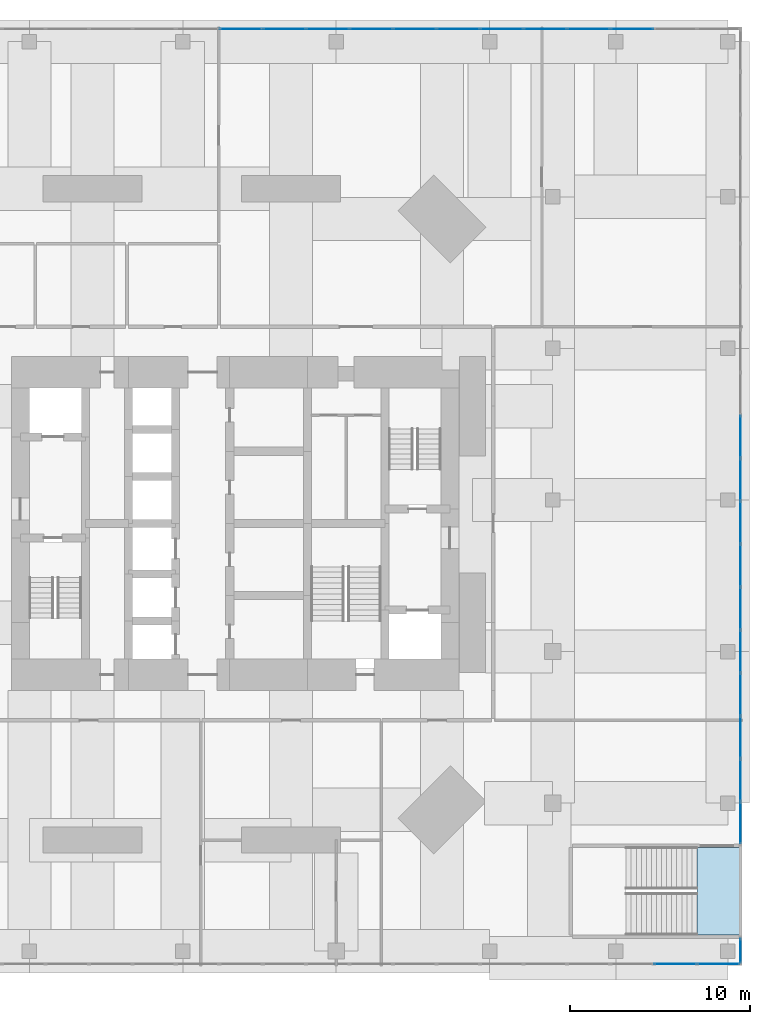
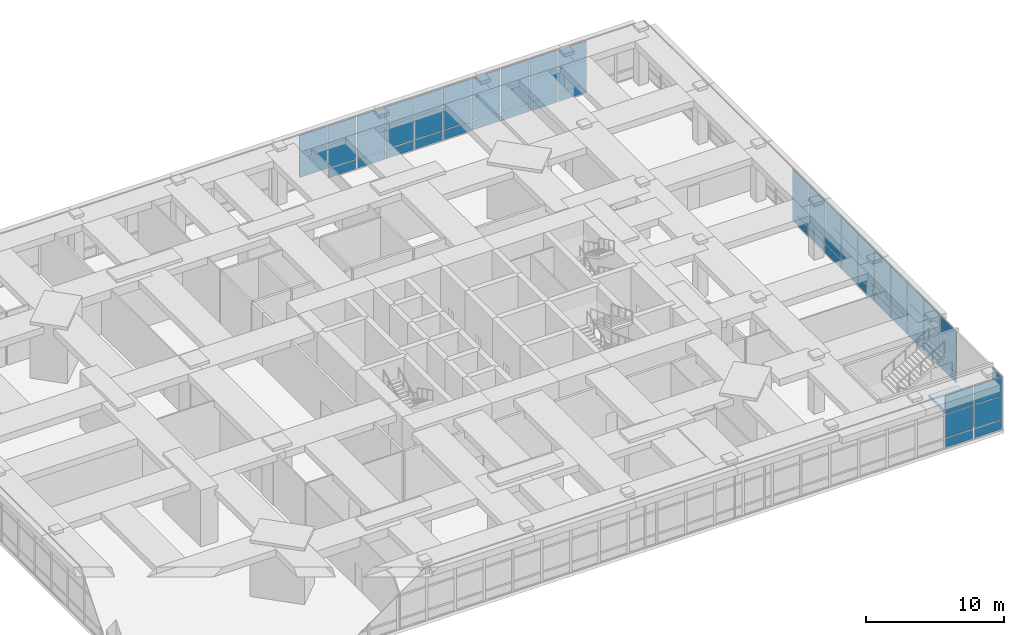
# One storey, part 16 of 22: 68 plates, 1 slab, 5 elements without a shape of their own.
"""IFC4 building model written with IfcOpenShell, lengths in metres."""

import ifcopenshell
import ifcopenshell.guid

model = None  # the IFC model being written
_history = None  # IfcOwnerHistory: only IFC2X3 demands one
_inside = {}  # id of a spatial element -> (the spatial element, [elements in it])
_under = {}  # id of a project, library or spatial element -> (it, [spatial elements below it])
_declared = {}  # id of a project -> (the project, [libraries it declares])
_typed = {}  # id of a type object -> (the type object, [elements of that type])
_made_of = {}  # id of a material, layer set ... -> (it, [elements and type objects made of it])


def new_model(schema):
    """Start an empty IFC model of exactly this schema.

    Asked for "IFC4X3", IfcOpenShell would pick the latest addendum, in which some entities
    have other attributes; the version numbers below select the first issue.
    IFC2X3 requires an IfcOwnerHistory on every rooted entity: one is made here for all.
    """
    global model, _history
    if schema == "IFC4X3":
        model = ifcopenshell.file(schema_version=(4, 3, 0, 0))
    else:
        model = ifcopenshell.file(schema=schema)
    _inside.clear()
    _under.clear()
    _declared.clear()
    _typed.clear()
    _made_of.clear()
    _history = None
    if model.schema == "IFC2X3":
        org = make("IfcOrganization", Name="unknown")
        user = make(
            "IfcPersonAndOrganization",
            ThePerson=make("IfcPerson", FamilyName="unknown"),
            TheOrganization=org,
        )
        app = make(
            "IfcApplication",
            ApplicationDeveloper=org,
            Version="unknown",
            ApplicationFullName="unknown",
            ApplicationIdentifier="unknown",
        )
        _history = make(
            "IfcOwnerHistory",
            OwningUser=user,
            OwningApplication=app,
            ChangeAction="ADDED",
            CreationDate=0,
        )
    return model


def make(cls, **values):
    """One entity of the class cls with the attributes given. An attribute that is None is left unset."""
    return model.create_entity(
        cls, **{name: value for name, value in values.items() if value is not None}
    )


def rooted(cls, **values):
    """An entity with a GlobalId (a new one), such as an element, a storey or a relation."""
    return make(cls, GlobalId=ifcopenshell.guid.new(), OwnerHistory=_history, **values)


def si_unit(unit_type, name, prefix=None):
    """IfcSIUnit, for example si_unit("LENGTHUNIT", "METRE", prefix="MILLI")."""
    return make("IfcSIUnit", UnitType=unit_type, Prefix=prefix, Name=name)


def assignment(units):
    """IfcUnitAssignment: the units of a project."""
    return None if units is None else make("IfcUnitAssignment", Units=units)


def point(xyz):
    """IfcCartesianPoint."""
    return None if xyz is None else make("IfcCartesianPoint", Coordinates=xyz)


def direction(xyz):
    """IfcDirection."""
    return None if xyz is None else make("IfcDirection", DirectionRatios=xyz)


def frame(location, z_axis=None, x_axis=None):
    """IfcAxis2Placement3D, a coordinate frame: its origin and axes. An axis left out is left unset."""
    return make(
        "IfcAxis2Placement3D",
        Location=point(location),
        Axis=direction(z_axis),
        RefDirection=direction(x_axis),
    )


def frame_2d(location, x_axis=None):
    """IfcAxis2Placement2D, a coordinate frame in the plane: its origin and x axis."""
    return make(
        "IfcAxis2Placement2D", Location=point(location), RefDirection=direction(x_axis)
    )


def origin():
    """The frame at (0, 0, 0) with its axes left unset."""
    return frame((0.0, 0.0, 0.0))


def origin_2d():
    """The frame at (0, 0) in the plane with its x axis left unset."""
    return frame_2d((0.0, 0.0))


def place(relative_to, where):
    """IfcLocalPlacement: puts the frame where relative to a parent placement (None: the world)."""
    return make(
        "IfcLocalPlacement", PlacementRelTo=relative_to, RelativePlacement=where
    )


def context(
    kind, dimensions, precision=None, world=None, true_north=None, identifier=None
):
    """IfcGeometricRepresentationContext, for example the 3D "Model" context."""
    return make(
        "IfcGeometricRepresentationContext",
        ContextIdentifier=identifier,
        ContextType=kind,
        CoordinateSpaceDimension=dimensions,
        Precision=precision,
        WorldCoordinateSystem=world,
        TrueNorth=true_north,
    )


def subcontext(parent, identifier, kind, view, scale=None):
    """IfcGeometricRepresentationSubContext, for example "Body" below "Model"."""
    return make(
        "IfcGeometricRepresentationSubContext",
        ContextIdentifier=identifier,
        ContextType=kind,
        ParentContext=parent,
        TargetScale=scale,
        TargetView=view,
    )


def project(units=None, contexts=None):
    """IfcProject with its units and contexts."""
    return rooted(
        "IfcProject",
        Name="project",
        RepresentationContexts=contexts,
        UnitsInContext=assignment(units),
    )


def spatial(cls, under=None, at=None, **own):
    """A site, building, storey or space (cls), placed at a placement, below another one or the project."""
    s = rooted(cls, ObjectPlacement=at, **own)
    if under is not None:
        _under.setdefault(under.id(), (under, []))[1].append(s)
    return s


def polyline(points):
    """IfcPolyline through the points."""
    return make("IfcPolyline", Points=[point(p) for p in points])


def profile(cls, at=None, kind="AREA", **sizes):
    """A parametric profile (cls). Its sizes go by their IFC names, for example OverallWidth=200.0."""
    return make(cls, ProfileType=kind, Position=at, **sizes)


def rectangle(**sizes):
    """IfcRectangleProfileDef."""
    return profile("IfcRectangleProfileDef", **sizes)


def outline(outer, holes=None, kind="AREA"):
    """IfcArbitraryClosedProfileDef: a profile drawn as a closed curve; with holes, ...WithVoids."""
    if holes is None:
        return make("IfcArbitraryClosedProfileDef", ProfileType=kind, OuterCurve=outer)
    return make(
        "IfcArbitraryProfileDefWithVoids",
        ProfileType=kind,
        OuterCurve=outer,
        InnerCurves=holes,
    )


def extrude(swept, where, along, depth):
    """IfcExtrudedAreaSolid: the profile swept, set in the frame where, extruded along a direction by depth."""
    return make(
        "IfcExtrudedAreaSolid",
        SweptArea=swept,
        Position=where,
        ExtrudedDirection=direction(along),
        Depth=depth,
    )


def shape(context_of_items, identifier, shape_type, items):
    """IfcShapeRepresentation: the items that make up one representation, for example the "Body"."""
    return make(
        "IfcShapeRepresentation",
        ContextOfItems=context_of_items,
        RepresentationIdentifier=identifier,
        RepresentationType=shape_type,
        Items=items,
    )


def material(Name=None, Category=None):
    """IfcMaterial."""
    return make("IfcMaterial", Name=Name, Category=Category)


def layer(
    of_material, thickness, ventilated=None, Name=None, Category=None, Priority=None
):
    """IfcMaterialLayer: one layer of a wall or slab, of a material (None: an air gap)."""
    return make(
        "IfcMaterialLayer",
        Material=of_material,
        LayerThickness=thickness,
        IsVentilated=ventilated,
        Name=Name,
        Category=Category,
        Priority=Priority,
    )


def layer_set(layers, Name=None):
    """IfcMaterialLayerSet."""
    return make("IfcMaterialLayerSet", MaterialLayers=layers, LayerSetName=Name)


def made_of(thing, what):
    """Note that an element or type object is made of a material, layer set ...; save() writes the relation."""
    if what is not None:
        _made_of.setdefault(what.id(), (what, []))[1].append(thing)
    return thing


def type_object(cls, material=None, **own):
    """A type object (cls), such as IfcWallType, which elements share."""
    return made_of(rooted(cls, **own), material)


def element(
    cls,
    number,
    at=None,
    inside=None,
    cuts=None,
    type_object=None,
    material=None,
    context=None,
    identifier="Body",
    shape_type=None,
    held_by="IfcProductDefinitionShape",
    body=None,
    shapes=None,
    **own,
):
    """One element of the class cls, such as IfcWall. Its Tag is "e" and its number.

    at: its placement. inside: the storey or other place that contains it. cuts: it is an
    opening in that element (IfcRelVoidsElement). A single representation is given by context,
    identifier, shape_type and body (its items); several are given by shapes. held_by: the class
    of the entity that holds the representations. save() writes the other relations.
    """
    e = rooted(cls, Tag="e%d" % number, ObjectPlacement=at, **own)
    if body is not None:
        shapes = [shape(context, identifier, shape_type, body)]
    if shapes is not None:
        e.Representation = make(held_by, Representations=shapes)
    if inside is not None:
        _inside.setdefault(inside.id(), (inside, []))[1].append(e)
    if cuts is not None:
        rooted(
            "IfcRelVoidsElement", RelatingBuildingElement=cuts, RelatedOpeningElement=e
        )
    if type_object is not None:
        _typed.setdefault(type_object.id(), (type_object, []))[1].append(e)
    return made_of(e, material)


def aggregate(whole, parts):
    """IfcRelAggregates: a whole, such as a stair, and the parts it consists of."""
    return rooted("IfcRelAggregates", RelatingObject=whole, RelatedObjects=parts)


def save(model, path):
    """Write the relations noted so far, then the file.

    IfcRelAggregates (storeys below a building ...), IfcRelContainedInSpatialStructure (elements
    in a storey), IfcRelDefinesByType, IfcRelAssociatesMaterial and IfcRelDeclares: one each for
    every whole, place, type object, material and project.
    """
    for whole, parts in _under.values():
        aggregate(whole, parts)
    for where, things in _inside.values():
        rooted(
            "IfcRelContainedInSpatialStructure",
            RelatedElements=things,
            RelatingStructure=where,
        )
    for kind, things in _typed.values():
        rooted("IfcRelDefinesByType", RelatedObjects=things, RelatingType=kind)
    for what, things in _made_of.values():
        rooted("IfcRelAssociatesMaterial", RelatedObjects=things, RelatingMaterial=what)
    for by, libraries in _declared.values():
        rooted("IfcRelDeclares", RelatingContext=by, RelatedDefinitions=libraries)
    model.write(path)


model = new_model("IFC4")

# Units and contexts
model_context = context("Model", 3, precision=1e-05, world=origin(), true_north=direction((0.0, 1.0)))
body_context = subcontext(model_context, "Body", "Model", "MODEL_VIEW")
ifc_project = project(units=[si_unit("LENGTHUNIT", "METRE"), si_unit("AREAUNIT", "SQUARE_METRE"), si_unit("VOLUMEUNIT", "CUBIC_METRE"), si_unit("PLANEANGLEUNIT", "RADIAN"), si_unit("MASSUNIT", "GRAM", prefix="KILO")], contexts=[model_context])

# Site, building, storey
site_placement = place(None, origin())
site = spatial("IfcSite", under=ifc_project, at=site_placement, CompositionType="ELEMENT")
building_placement = place(site_placement, origin())
building = spatial("IfcBuilding", under=site, at=building_placement, Name="Jalousie Tower", CompositionType="ELEMENT")
storey_placement = place(building_placement, frame((0.0, 0.0, 6.0)))
storey = spatial("IfcBuildingStorey", under=building, at=storey_placement, Name="L01", CompositionType="ELEMENT", Elevation=6.0)

# Curtain wall, plates
ifc_material_1 = material(Name="Aluminium curtain wall", Category="aluminium")
curtain_wall_type = type_object("IfcCurtainWallType", Name="PODIUM WINDOW WALL", PredefinedType="USERDEFINED", material=ifc_material_1)
curtain_wall_1_placement = place(storey_placement, origin())
curtain_wall_1 = element("IfcCurtainWall", 1, at=curtain_wall_1_placement, inside=storey, type_object=curtain_wall_type, Name="Podium Window Wall L01 1", ObjectType="PODIUM WINDOW WALL", PredefinedType="USERDEFINED")
ifc_material_2 = material(Name="Laminated impact-rated glass", Category="glass")
ifc_layer_1 = layer(ifc_material_2, 0.030029296875)
ifc_layer_set_1 = layer_set([ifc_layer_1], Name="Laminated impact-rated glass")
plate_type = type_object("IfcPlateType", Name="PODIUM WINDOW WALL PANEL", PredefinedType="CURTAIN_PANEL", material=ifc_layer_set_1)
plate_1_placement = place(storey_placement, frame((56.30078125, -5.91259765625, 0.070068359375), z_axis=(0.0, 0.0, 1.0), x_axis=(1.0, 0.0, 0.0)))
plate_1 = element("IfcPlate", 2, at=plate_1_placement, type_object=plate_type, Name="CW-P panel 28.1", PredefinedType="CURTAIN_PANEL", context=body_context, shape_type="SweptSolid", body=[
    extrude(rectangle(XDim=2.337646484375, YDim=0.030029296875, at=origin_2d()), origin(), (0.0, 0.0, 1.0), 0.794921875),
])
plate_2_placement = place(storey_placement, frame((56.30078125, -5.91259765625, 0.93505859375), z_axis=(0.0, 0.0, 1.0), x_axis=(1.0, 0.0, 0.0)))
plate_2 = element("IfcPlate", 3, at=plate_2_placement, type_object=plate_type, Name="CW-P panel 28.2", PredefinedType="CURTAIN_PANEL", context=body_context, shape_type="SweptSolid", body=[
    extrude(rectangle(XDim=2.337646484375, YDim=0.030029296875, at=origin_2d()), origin(), (0.0, 0.0, 1.0), 2.030029296875),
])
plate_3_placement = place(storey_placement, frame((56.30078125, -5.91259765625, 3.03515625), z_axis=(0.0, 0.0, 1.0), x_axis=(1.0, 0.0, 0.0)))
plate_3 = element("IfcPlate", 4, at=plate_3_placement, type_object=plate_type, Name="CW-P panel 28.3", PredefinedType="CURTAIN_PANEL", context=body_context, shape_type="SweptSolid", body=[
    extrude(rectangle(XDim=2.337646484375, YDim=0.030029296875, at=origin_2d()), origin(), (0.0, 0.0, 1.0), 1.614990234375),
])
plate_4_placement = place(storey_placement, frame((58.691162109375, -5.91259765625, 0.070068359375), z_axis=(0.0, 0.0, 1.0), x_axis=(1.0, 0.0, 0.0)))
plate_4 = element("IfcPlate", 5, at=plate_4_placement, type_object=plate_type, Name="CW-P panel 29.1", PredefinedType="CURTAIN_PANEL", context=body_context, shape_type="SweptSolid", body=[
    extrude(rectangle(XDim=2.302734375, YDim=0.030029296875, at=origin_2d()), origin(), (0.0, 0.0, 1.0), 0.794921875),
])
plate_5_placement = place(storey_placement, frame((58.691162109375, -5.91259765625, 0.93505859375), z_axis=(0.0, 0.0, 1.0), x_axis=(1.0, 0.0, 0.0)))
plate_5 = element("IfcPlate", 6, at=plate_5_placement, type_object=plate_type, Name="CW-P panel 29.2", PredefinedType="CURTAIN_PANEL", context=body_context, shape_type="SweptSolid", body=[
    extrude(rectangle(XDim=2.302734375, YDim=0.030029296875, at=origin_2d()), origin(), (0.0, 0.0, 1.0), 2.030029296875),
])
plate_6_placement = place(storey_placement, frame((58.691162109375, -5.91259765625, 3.03515625), z_axis=(0.0, 0.0, 1.0), x_axis=(1.0, 0.0, 0.0)))
plate_6 = element("IfcPlate", 7, at=plate_6_placement, type_object=plate_type, Name="CW-P panel 29.3", PredefinedType="CURTAIN_PANEL", context=body_context, shape_type="SweptSolid", body=[
    extrude(rectangle(XDim=2.302734375, YDim=0.030029296875, at=origin_2d()), origin(), (0.0, 0.0, 1.0), 1.614990234375),
])
aggregate(curtain_wall_1, [plate_1, plate_2, plate_3, plate_4, plate_5, plate_6])

curtain_wall_2_placement = place(storey_placement, origin())
curtain_wall_2 = element("IfcCurtainWall", 8, at=curtain_wall_2_placement, inside=storey, type_object=curtain_wall_type, Name="Podium Window Wall L01 11", ObjectType="PODIUM WINDOW WALL", PredefinedType="USERDEFINED")
plate_7_placement = place(storey_placement, frame((59.91259765625, -5.18115234375, 0.070068359375), z_axis=(0.0, 0.0, 1.0), x_axis=(0.0, 1.0, 0.0)))
plate_7 = element("IfcPlate", 9, at=plate_7_placement, type_object=plate_type, Name="CW-P panel 1.1", PredefinedType="CURTAIN_PANEL", context=body_context, shape_type="SweptSolid", body=[
    extrude(rectangle(XDim=1.322509765625, YDim=0.030029296875, at=origin_2d()), origin(), (0.0, 0.0, 1.0), 0.794921875),
])
plate_8_placement = place(storey_placement, frame((59.91259765625, -5.18115234375, 0.93505859375), z_axis=(0.0, 0.0, 1.0), x_axis=(0.0, 1.0, 0.0)))
plate_8 = element("IfcPlate", 10, at=plate_8_placement, type_object=plate_type, Name="CW-P panel 1.2", PredefinedType="CURTAIN_PANEL", context=body_context, shape_type="SweptSolid", body=[
    extrude(rectangle(XDim=1.322509765625, YDim=0.030029296875, at=origin_2d()), origin(), (0.0, 0.0, 1.0), 2.030029296875),
])
plate_9_placement = place(storey_placement, frame((59.91259765625, -5.18115234375, 3.03515625), z_axis=(0.0, 0.0, 1.0), x_axis=(0.0, 1.0, 0.0)))
plate_9 = element("IfcPlate", 11, at=plate_9_placement, type_object=plate_type, Name="CW-P panel 1.3", PredefinedType="CURTAIN_PANEL", context=body_context, shape_type="SweptSolid", body=[
    extrude(rectangle(XDim=1.322509765625, YDim=0.030029296875, at=origin_2d()), origin(), (0.0, 0.0, 1.0), 1.614990234375),
])
aggregate(curtain_wall_2, [plate_7, plate_8, plate_9])

curtain_wall_3_placement = place(storey_placement, origin())
curtain_wall_3 = element("IfcCurtainWall", 12, at=curtain_wall_3_placement, inside=storey, type_object=curtain_wall_type, Name="Podium Window Wall L01 13", ObjectType="PODIUM WINDOW WALL", PredefinedType="USERDEFINED")
plate_10_placement = place(storey_placement, frame((59.91259765625, 1.9072265625, 0.070068359375), z_axis=(0.0, 0.0, 1.0), x_axis=(0.0, 1.0, 0.0)))
plate_10 = element("IfcPlate", 13, at=plate_10_placement, type_object=plate_type, Name="CW-P panel 1.1", PredefinedType="CURTAIN_PANEL", context=body_context, shape_type="SweptSolid", body=[
    extrude(rectangle(XDim=2.274658203125, YDim=0.030029296875, at=origin_2d()), origin(), (0.0, 0.0, 1.0), 0.794921875),
])
plate_11_placement = place(storey_placement, frame((59.91259765625, 1.9072265625, 0.93505859375), z_axis=(0.0, 0.0, 1.0), x_axis=(0.0, 1.0, 0.0)))
plate_11 = element("IfcPlate", 14, at=plate_11_placement, type_object=plate_type, Name="CW-P panel 1.2", PredefinedType="CURTAIN_PANEL", context=body_context, shape_type="SweptSolid", body=[
    extrude(rectangle(XDim=2.274658203125, YDim=0.030029296875, at=origin_2d()), origin(), (0.0, 0.0, 1.0), 2.030029296875),
])
plate_12_placement = place(storey_placement, frame((59.91259765625, 1.9072265625, 3.03515625), z_axis=(0.0, 0.0, 1.0), x_axis=(0.0, 1.0, 0.0)))
plate_12 = element("IfcPlate", 15, at=plate_12_placement, type_object=plate_type, Name="CW-P panel 1.3", PredefinedType="CURTAIN_PANEL", context=body_context, shape_type="SweptSolid", body=[
    extrude(rectangle(XDim=2.274658203125, YDim=0.030029296875, at=origin_2d()), origin(), (0.0, 0.0, 1.0), 1.614990234375),
])
plate_13_placement = place(storey_placement, frame((59.91259765625, 4.269287109375, 0.070068359375), z_axis=(0.0, 0.0, 1.0), x_axis=(0.0, 1.0, 0.0)))
plate_13 = element("IfcPlate", 16, at=plate_13_placement, type_object=plate_type, Name="CW-P panel 2.1", PredefinedType="CURTAIN_PANEL", context=body_context, shape_type="SweptSolid", body=[
    extrude(rectangle(XDim=2.3095703125, YDim=0.030029296875, at=origin_2d()), origin(), (0.0, 0.0, 1.0), 0.794921875),
])
plate_14_placement = place(storey_placement, frame((59.91259765625, 4.269287109375, 0.93505859375), z_axis=(0.0, 0.0, 1.0), x_axis=(0.0, 1.0, 0.0)))
plate_14 = element("IfcPlate", 17, at=plate_14_placement, type_object=plate_type, Name="CW-P panel 2.2", PredefinedType="CURTAIN_PANEL", context=body_context, shape_type="SweptSolid", body=[
    extrude(rectangle(XDim=2.3095703125, YDim=0.030029296875, at=origin_2d()), origin(), (0.0, 0.0, 1.0), 2.030029296875),
])
plate_15_placement = place(storey_placement, frame((59.91259765625, 4.269287109375, 3.03515625), z_axis=(0.0, 0.0, 1.0), x_axis=(0.0, 1.0, 0.0)))
plate_15 = element("IfcPlate", 18, at=plate_15_placement, type_object=plate_type, Name="CW-P panel 2.3", PredefinedType="CURTAIN_PANEL", context=body_context, shape_type="SweptSolid", body=[
    extrude(rectangle(XDim=2.3095703125, YDim=0.030029296875, at=origin_2d()), origin(), (0.0, 0.0, 1.0), 1.614990234375),
])
plate_16_placement = place(storey_placement, frame((59.91259765625, 6.64892578125, 0.070068359375), z_axis=(0.0, 0.0, 1.0), x_axis=(0.0, 1.0, 0.0)))
plate_16 = element("IfcPlate", 19, at=plate_16_placement, type_object=plate_type, Name="CW-P panel 3.1", PredefinedType="CURTAIN_PANEL", context=body_context, shape_type="SweptSolid", body=[
    extrude(rectangle(XDim=2.3095703125, YDim=0.030029296875, at=origin_2d()), origin(), (0.0, 0.0, 1.0), 0.794921875),
])
plate_17_placement = place(storey_placement, frame((59.91259765625, 6.64892578125, 0.93505859375), z_axis=(0.0, 0.0, 1.0), x_axis=(0.0, 1.0, 0.0)))
plate_17 = element("IfcPlate", 20, at=plate_17_placement, type_object=plate_type, Name="CW-P panel 3.2", PredefinedType="CURTAIN_PANEL", context=body_context, shape_type="SweptSolid", body=[
    extrude(rectangle(XDim=2.3095703125, YDim=0.030029296875, at=origin_2d()), origin(), (0.0, 0.0, 1.0), 2.030029296875),
])
plate_18_placement = place(storey_placement, frame((59.91259765625, 6.64892578125, 3.03515625), z_axis=(0.0, 0.0, 1.0), x_axis=(0.0, 1.0, 0.0)))
plate_18 = element("IfcPlate", 21, at=plate_18_placement, type_object=plate_type, Name="CW-P panel 3.3", PredefinedType="CURTAIN_PANEL", context=body_context, shape_type="SweptSolid", body=[
    extrude(rectangle(XDim=2.3095703125, YDim=0.030029296875, at=origin_2d()), origin(), (0.0, 0.0, 1.0), 1.614990234375),
])
plate_19_placement = place(storey_placement, frame((59.91259765625, 9.028564453125, 0.070068359375), z_axis=(0.0, 0.0, 1.0), x_axis=(0.0, 1.0, 0.0)))
plate_19 = element("IfcPlate", 22, at=plate_19_placement, type_object=plate_type, Name="CW-P panel 4.1", PredefinedType="CURTAIN_PANEL", context=body_context, shape_type="SweptSolid", body=[
    extrude(rectangle(XDim=2.3095703125, YDim=0.030029296875, at=origin_2d()), origin(), (0.0, 0.0, 1.0), 0.794921875),
])
plate_20_placement = place(storey_placement, frame((59.91259765625, 9.028564453125, 0.93505859375), z_axis=(0.0, 0.0, 1.0), x_axis=(0.0, 1.0, 0.0)))
plate_20 = element("IfcPlate", 23, at=plate_20_placement, type_object=plate_type, Name="CW-P panel 4.2", PredefinedType="CURTAIN_PANEL", context=body_context, shape_type="SweptSolid", body=[
    extrude(rectangle(XDim=2.3095703125, YDim=0.030029296875, at=origin_2d()), origin(), (0.0, 0.0, 1.0), 2.030029296875),
])
plate_21_placement = place(storey_placement, frame((59.91259765625, 9.028564453125, 3.03515625), z_axis=(0.0, 0.0, 1.0), x_axis=(0.0, 1.0, 0.0)))
plate_21 = element("IfcPlate", 24, at=plate_21_placement, type_object=plate_type, Name="CW-P panel 4.3", PredefinedType="CURTAIN_PANEL", context=body_context, shape_type="SweptSolid", body=[
    extrude(rectangle(XDim=2.3095703125, YDim=0.030029296875, at=origin_2d()), origin(), (0.0, 0.0, 1.0), 1.614990234375),
])
plate_22_placement = place(storey_placement, frame((59.91259765625, 11.408203125, 0.070068359375), z_axis=(0.0, 0.0, 1.0), x_axis=(0.0, 1.0, 0.0)))
plate_22 = element("IfcPlate", 25, at=plate_22_placement, type_object=plate_type, Name="CW-P panel 5.1", PredefinedType="CURTAIN_PANEL", context=body_context, shape_type="SweptSolid", body=[
    extrude(rectangle(XDim=2.3095703125, YDim=0.030029296875, at=origin_2d()), origin(), (0.0, 0.0, 1.0), 0.794921875),
])
plate_23_placement = place(storey_placement, frame((59.91259765625, 11.408203125, 0.93505859375), z_axis=(0.0, 0.0, 1.0), x_axis=(0.0, 1.0, 0.0)))
plate_23 = element("IfcPlate", 26, at=plate_23_placement, type_object=plate_type, Name="CW-P panel 5.2", PredefinedType="CURTAIN_PANEL", context=body_context, shape_type="SweptSolid", body=[
    extrude(rectangle(XDim=2.3095703125, YDim=0.030029296875, at=origin_2d()), origin(), (0.0, 0.0, 1.0), 2.030029296875),
])
plate_24_placement = place(storey_placement, frame((59.91259765625, 11.408203125, 3.03515625), z_axis=(0.0, 0.0, 1.0), x_axis=(0.0, 1.0, 0.0)))
plate_24 = element("IfcPlate", 27, at=plate_24_placement, type_object=plate_type, Name="CW-P panel 5.3", PredefinedType="CURTAIN_PANEL", context=body_context, shape_type="SweptSolid", body=[
    extrude(rectangle(XDim=2.3095703125, YDim=0.030029296875, at=origin_2d()), origin(), (0.0, 0.0, 1.0), 1.614990234375),
])
plate_25_placement = place(storey_placement, frame((59.91259765625, 13.787841796875, 0.070068359375), z_axis=(0.0, 0.0, 1.0), x_axis=(0.0, 1.0, 0.0)))
plate_25 = element("IfcPlate", 28, at=plate_25_placement, type_object=plate_type, Name="CW-P panel 6.1", PredefinedType="CURTAIN_PANEL", context=body_context, shape_type="SweptSolid", body=[
    extrude(rectangle(XDim=2.3095703125, YDim=0.030029296875, at=origin_2d()), origin(), (0.0, 0.0, 1.0), 0.794921875),
])
plate_26_placement = place(storey_placement, frame((59.91259765625, 13.787841796875, 0.93505859375), z_axis=(0.0, 0.0, 1.0), x_axis=(0.0, 1.0, 0.0)))
plate_26 = element("IfcPlate", 29, at=plate_26_placement, type_object=plate_type, Name="CW-P panel 6.2", PredefinedType="CURTAIN_PANEL", context=body_context, shape_type="SweptSolid", body=[
    extrude(rectangle(XDim=2.3095703125, YDim=0.030029296875, at=origin_2d()), origin(), (0.0, 0.0, 1.0), 2.030029296875),
])
plate_27_placement = place(storey_placement, frame((59.91259765625, 13.787841796875, 3.03515625), z_axis=(0.0, 0.0, 1.0), x_axis=(0.0, 1.0, 0.0)))
plate_27 = element("IfcPlate", 30, at=plate_27_placement, type_object=plate_type, Name="CW-P panel 6.3", PredefinedType="CURTAIN_PANEL", context=body_context, shape_type="SweptSolid", body=[
    extrude(rectangle(XDim=2.3095703125, YDim=0.030029296875, at=origin_2d()), origin(), (0.0, 0.0, 1.0), 1.614990234375),
])
plate_28_placement = place(storey_placement, frame((59.91259765625, 16.16748046875, 0.070068359375), z_axis=(0.0, 0.0, 1.0), x_axis=(0.0, 1.0, 0.0)))
plate_28 = element("IfcPlate", 31, at=plate_28_placement, type_object=plate_type, Name="CW-P panel 7.1", PredefinedType="CURTAIN_PANEL", context=body_context, shape_type="SweptSolid", body=[
    extrude(rectangle(XDim=2.3095703125, YDim=0.030029296875, at=origin_2d()), origin(), (0.0, 0.0, 1.0), 0.794921875),
])
plate_29_placement = place(storey_placement, frame((59.91259765625, 16.16748046875, 0.93505859375), z_axis=(0.0, 0.0, 1.0), x_axis=(0.0, 1.0, 0.0)))
plate_29 = element("IfcPlate", 32, at=plate_29_placement, type_object=plate_type, Name="CW-P panel 7.2", PredefinedType="CURTAIN_PANEL", context=body_context, shape_type="SweptSolid", body=[
    extrude(rectangle(XDim=2.3095703125, YDim=0.030029296875, at=origin_2d()), origin(), (0.0, 0.0, 1.0), 2.030029296875),
])
plate_30_placement = place(storey_placement, frame((59.91259765625, 16.16748046875, 3.03515625), z_axis=(0.0, 0.0, 1.0), x_axis=(0.0, 1.0, 0.0)))
plate_30 = element("IfcPlate", 33, at=plate_30_placement, type_object=plate_type, Name="CW-P panel 7.3", PredefinedType="CURTAIN_PANEL", context=body_context, shape_type="SweptSolid", body=[
    extrude(rectangle(XDim=2.3095703125, YDim=0.030029296875, at=origin_2d()), origin(), (0.0, 0.0, 1.0), 1.614990234375),
])
plate_31_placement = place(storey_placement, frame((59.91259765625, 18.547119140625, 0.070068359375), z_axis=(0.0, 0.0, 1.0), x_axis=(0.0, 1.0, 0.0)))
plate_31 = element("IfcPlate", 34, at=plate_31_placement, type_object=plate_type, Name="CW-P panel 8.1", PredefinedType="CURTAIN_PANEL", context=body_context, shape_type="SweptSolid", body=[
    extrude(rectangle(XDim=2.3095703125, YDim=0.030029296875, at=origin_2d()), origin(), (0.0, 0.0, 1.0), 0.794921875),
])
plate_32_placement = place(storey_placement, frame((59.91259765625, 18.547119140625, 0.93505859375), z_axis=(0.0, 0.0, 1.0), x_axis=(0.0, 1.0, 0.0)))
plate_32 = element("IfcPlate", 35, at=plate_32_placement, type_object=plate_type, Name="CW-P panel 8.2", PredefinedType="CURTAIN_PANEL", context=body_context, shape_type="SweptSolid", body=[
    extrude(rectangle(XDim=2.3095703125, YDim=0.030029296875, at=origin_2d()), origin(), (0.0, 0.0, 1.0), 2.030029296875),
])
plate_33_placement = place(storey_placement, frame((59.91259765625, 18.547119140625, 3.03515625), z_axis=(0.0, 0.0, 1.0), x_axis=(0.0, 1.0, 0.0)))
plate_33 = element("IfcPlate", 36, at=plate_33_placement, type_object=plate_type, Name="CW-P panel 8.3", PredefinedType="CURTAIN_PANEL", context=body_context, shape_type="SweptSolid", body=[
    extrude(rectangle(XDim=2.3095703125, YDim=0.030029296875, at=origin_2d()), origin(), (0.0, 0.0, 1.0), 1.614990234375),
])
plate_34_placement = place(storey_placement, frame((59.91259765625, 20.9267578125, 0.070068359375), z_axis=(0.0, 0.0, 1.0), x_axis=(0.0, 1.0, 0.0)))
plate_34 = element("IfcPlate", 37, at=plate_34_placement, type_object=plate_type, Name="CW-P panel 9.1", PredefinedType="CURTAIN_PANEL", context=body_context, shape_type="SweptSolid", body=[
    extrude(rectangle(XDim=2.3095703125, YDim=0.030029296875, at=origin_2d()), origin(), (0.0, 0.0, 1.0), 0.794921875),
])
plate_35_placement = place(storey_placement, frame((59.91259765625, 20.9267578125, 0.93505859375), z_axis=(0.0, 0.0, 1.0), x_axis=(0.0, 1.0, 0.0)))
plate_35 = element("IfcPlate", 38, at=plate_35_placement, type_object=plate_type, Name="CW-P panel 9.2", PredefinedType="CURTAIN_PANEL", context=body_context, shape_type="SweptSolid", body=[
    extrude(rectangle(XDim=2.3095703125, YDim=0.030029296875, at=origin_2d()), origin(), (0.0, 0.0, 1.0), 2.030029296875),
])
plate_36_placement = place(storey_placement, frame((59.91259765625, 20.9267578125, 3.03515625), z_axis=(0.0, 0.0, 1.0), x_axis=(0.0, 1.0, 0.0)))
plate_36 = element("IfcPlate", 39, at=plate_36_placement, type_object=plate_type, Name="CW-P panel 9.3", PredefinedType="CURTAIN_PANEL", context=body_context, shape_type="SweptSolid", body=[
    extrude(rectangle(XDim=2.3095703125, YDim=0.030029296875, at=origin_2d()), origin(), (0.0, 0.0, 1.0), 1.614990234375),
])
plate_37_placement = place(storey_placement, frame((59.91259765625, 23.30615234375, 0.070068359375), z_axis=(0.0, 0.0, 1.0), x_axis=(0.0, 1.0, 0.0)))
plate_37 = element("IfcPlate", 40, at=plate_37_placement, type_object=plate_type, Name="CW-P panel 10.1", PredefinedType="CURTAIN_PANEL", context=body_context, shape_type="SweptSolid", body=[
    extrude(rectangle(XDim=2.3095703125, YDim=0.030029296875, at=origin_2d()), origin(), (0.0, 0.0, 1.0), 0.794921875),
])
plate_38_placement = place(storey_placement, frame((59.91259765625, 23.30615234375, 0.93505859375), z_axis=(0.0, 0.0, 1.0), x_axis=(0.0, 1.0, 0.0)))
plate_38 = element("IfcPlate", 41, at=plate_38_placement, type_object=plate_type, Name="CW-P panel 10.2", PredefinedType="CURTAIN_PANEL", context=body_context, shape_type="SweptSolid", body=[
    extrude(rectangle(XDim=2.3095703125, YDim=0.030029296875, at=origin_2d()), origin(), (0.0, 0.0, 1.0), 2.030029296875),
])
plate_39_placement = place(storey_placement, frame((59.91259765625, 23.30615234375, 3.03515625), z_axis=(0.0, 0.0, 1.0), x_axis=(0.0, 1.0, 0.0)))
plate_39 = element("IfcPlate", 42, at=plate_39_placement, type_object=plate_type, Name="CW-P panel 10.3", PredefinedType="CURTAIN_PANEL", context=body_context, shape_type="SweptSolid", body=[
    extrude(rectangle(XDim=2.3095703125, YDim=0.030029296875, at=origin_2d()), origin(), (0.0, 0.0, 1.0), 1.614990234375),
])
aggregate(curtain_wall_3, [plate_10, plate_11, plate_12, plate_13, plate_14, plate_15, plate_16, plate_17, plate_18, plate_19, plate_20, plate_21, plate_22, plate_23, plate_24, plate_25, plate_26, plate_27, plate_28, plate_29, plate_30, plate_31, plate_32, plate_33, plate_34, plate_35, plate_36, plate_37, plate_38, plate_39])

curtain_wall_4_placement = place(storey_placement, origin())
curtain_wall_4 = element("IfcCurtainWall", 43, at=curtain_wall_4_placement, inside=storey, type_object=curtain_wall_type, Name="Podium Window Wall L01 21", ObjectType="PODIUM WINDOW WALL", PredefinedType="USERDEFINED")
plate_40_placement = place(storey_placement, frame((53.89306640625, 45.91259765625, 0.070068359375), z_axis=(0.0, 0.0, 1.0), x_axis=(-1.0, 0.0, 0.0)))
plate_40 = element("IfcPlate", 44, at=plate_40_placement, type_object=plate_type, Name="CW-P panel 3.1", PredefinedType="CURTAIN_PANEL", context=body_context, shape_type="SweptSolid", body=[
    extrude(rectangle(XDim=2.337646484375, YDim=0.030029296875, at=origin_2d()), origin(), (0.0, 0.0, 1.0), 0.794921875),
])
plate_41_placement = place(storey_placement, frame((53.89306640625, 45.91259765625, 0.93505859375), z_axis=(0.0, 0.0, 1.0), x_axis=(-1.0, 0.0, 0.0)))
plate_41 = element("IfcPlate", 45, at=plate_41_placement, type_object=plate_type, Name="CW-P panel 3.2", PredefinedType="CURTAIN_PANEL", context=body_context, shape_type="SweptSolid", body=[
    extrude(rectangle(XDim=2.337646484375, YDim=0.030029296875, at=origin_2d()), origin(), (0.0, 0.0, 1.0), 2.030029296875),
])
plate_42_placement = place(storey_placement, frame((53.89306640625, 45.91259765625, 3.03515625), z_axis=(0.0, 0.0, 1.0), x_axis=(-1.0, 0.0, 0.0)))
plate_42 = element("IfcPlate", 46, at=plate_42_placement, type_object=plate_type, Name="CW-P panel 3.3", PredefinedType="CURTAIN_PANEL", context=body_context, shape_type="SweptSolid", body=[
    extrude(rectangle(XDim=2.337646484375, YDim=0.030029296875, at=origin_2d()), origin(), (0.0, 0.0, 1.0), 1.614990234375),
])
plate_43_placement = place(storey_placement, frame((51.4853515625, 45.91259765625, 0.070068359375), z_axis=(0.0, 0.0, 1.0), x_axis=(-1.0, 0.0, 0.0)))
plate_43 = element("IfcPlate", 47, at=plate_43_placement, type_object=plate_type, Name="CW-P panel 4.1", PredefinedType="CURTAIN_PANEL", context=body_context, shape_type="SweptSolid", body=[
    extrude(rectangle(XDim=2.337646484375, YDim=0.030029296875, at=origin_2d()), origin(), (0.0, 0.0, 1.0), 0.794921875),
])
plate_44_placement = place(storey_placement, frame((51.4853515625, 45.91259765625, 0.93505859375), z_axis=(0.0, 0.0, 1.0), x_axis=(-1.0, 0.0, 0.0)))
plate_44 = element("IfcPlate", 48, at=plate_44_placement, type_object=plate_type, Name="CW-P panel 4.2", PredefinedType="CURTAIN_PANEL", context=body_context, shape_type="SweptSolid", body=[
    extrude(rectangle(XDim=2.337646484375, YDim=0.030029296875, at=origin_2d()), origin(), (0.0, 0.0, 1.0), 2.030029296875),
])
plate_45_placement = place(storey_placement, frame((51.4853515625, 45.91259765625, 3.03515625), z_axis=(0.0, 0.0, 1.0), x_axis=(-1.0, 0.0, 0.0)))
plate_45 = element("IfcPlate", 49, at=plate_45_placement, type_object=plate_type, Name="CW-P panel 4.3", PredefinedType="CURTAIN_PANEL", context=body_context, shape_type="SweptSolid", body=[
    extrude(rectangle(XDim=2.337646484375, YDim=0.030029296875, at=origin_2d()), origin(), (0.0, 0.0, 1.0), 1.614990234375),
])
plate_46_placement = place(storey_placement, frame((49.07763671875, 45.91259765625, 0.070068359375), z_axis=(0.0, 0.0, 1.0), x_axis=(-1.0, 0.0, 0.0)))
plate_46 = element("IfcPlate", 50, at=plate_46_placement, type_object=plate_type, Name="CW-P panel 5.1", PredefinedType="CURTAIN_PANEL", context=body_context, shape_type="SweptSolid", body=[
    extrude(rectangle(XDim=2.337646484375, YDim=0.030029296875, at=origin_2d()), origin(), (0.0, 0.0, 1.0), 0.794921875),
])
plate_47_placement = place(storey_placement, frame((49.07763671875, 45.91259765625, 0.93505859375), z_axis=(0.0, 0.0, 1.0), x_axis=(-1.0, 0.0, 0.0)))
plate_47 = element("IfcPlate", 51, at=plate_47_placement, type_object=plate_type, Name="CW-P panel 5.2", PredefinedType="CURTAIN_PANEL", context=body_context, shape_type="SweptSolid", body=[
    extrude(rectangle(XDim=2.337646484375, YDim=0.030029296875, at=origin_2d()), origin(), (0.0, 0.0, 1.0), 2.030029296875),
])
plate_48_placement = place(storey_placement, frame((49.07763671875, 45.91259765625, 3.03515625), z_axis=(0.0, 0.0, 1.0), x_axis=(-1.0, 0.0, 0.0)))
plate_48 = element("IfcPlate", 52, at=plate_48_placement, type_object=plate_type, Name="CW-P panel 5.3", PredefinedType="CURTAIN_PANEL", context=body_context, shape_type="SweptSolid", body=[
    extrude(rectangle(XDim=2.337646484375, YDim=0.030029296875, at=origin_2d()), origin(), (0.0, 0.0, 1.0), 1.614990234375),
])
plate_49_placement = place(storey_placement, frame((46.669921875, 45.91259765625, 0.070068359375), z_axis=(0.0, 0.0, 1.0), x_axis=(-1.0, 0.0, 0.0)))
plate_49 = element("IfcPlate", 53, at=plate_49_placement, type_object=plate_type, Name="CW-P panel 6.1", PredefinedType="CURTAIN_PANEL", context=body_context, shape_type="SweptSolid", body=[
    extrude(rectangle(XDim=2.337646484375, YDim=0.030029296875, at=origin_2d()), origin(), (0.0, 0.0, 1.0), 0.794921875),
])
plate_50_placement = place(storey_placement, frame((46.669921875, 45.91259765625, 0.93505859375), z_axis=(0.0, 0.0, 1.0), x_axis=(-1.0, 0.0, 0.0)))
plate_50 = element("IfcPlate", 54, at=plate_50_placement, type_object=plate_type, Name="CW-P panel 6.2", PredefinedType="CURTAIN_PANEL", context=body_context, shape_type="SweptSolid", body=[
    extrude(rectangle(XDim=2.337646484375, YDim=0.030029296875, at=origin_2d()), origin(), (0.0, 0.0, 1.0), 2.030029296875),
])
plate_51_placement = place(storey_placement, frame((46.669921875, 45.91259765625, 3.03515625), z_axis=(0.0, 0.0, 1.0), x_axis=(-1.0, 0.0, 0.0)))
plate_51 = element("IfcPlate", 55, at=plate_51_placement, type_object=plate_type, Name="CW-P panel 6.3", PredefinedType="CURTAIN_PANEL", context=body_context, shape_type="SweptSolid", body=[
    extrude(rectangle(XDim=2.337646484375, YDim=0.030029296875, at=origin_2d()), origin(), (0.0, 0.0, 1.0), 1.614990234375),
])
plate_52_placement = place(storey_placement, frame((44.261962890625, 45.91259765625, 0.070068359375), z_axis=(0.0, 0.0, 1.0), x_axis=(-1.0, 0.0, 0.0)))
plate_52 = element("IfcPlate", 56, at=plate_52_placement, type_object=plate_type, Name="CW-P panel 7.1", PredefinedType="CURTAIN_PANEL", context=body_context, shape_type="SweptSolid", body=[
    extrude(rectangle(XDim=2.337646484375, YDim=0.030029296875, at=origin_2d()), origin(), (0.0, 0.0, 1.0), 0.794921875),
])
plate_53_placement = place(storey_placement, frame((44.261962890625, 45.91259765625, 0.93505859375), z_axis=(0.0, 0.0, 1.0), x_axis=(-1.0, 0.0, 0.0)))
plate_53 = element("IfcPlate", 57, at=plate_53_placement, type_object=plate_type, Name="CW-P panel 7.2", PredefinedType="CURTAIN_PANEL", context=body_context, shape_type="SweptSolid", body=[
    extrude(rectangle(XDim=2.337646484375, YDim=0.030029296875, at=origin_2d()), origin(), (0.0, 0.0, 1.0), 2.030029296875),
])
plate_54_placement = place(storey_placement, frame((44.261962890625, 45.91259765625, 3.03515625), z_axis=(0.0, 0.0, 1.0), x_axis=(-1.0, 0.0, 0.0)))
plate_54 = element("IfcPlate", 58, at=plate_54_placement, type_object=plate_type, Name="CW-P panel 7.3", PredefinedType="CURTAIN_PANEL", context=body_context, shape_type="SweptSolid", body=[
    extrude(rectangle(XDim=2.337646484375, YDim=0.030029296875, at=origin_2d()), origin(), (0.0, 0.0, 1.0), 1.614990234375),
])
plate_55_placement = place(storey_placement, frame((41.854248046875, 45.91259765625, 0.070068359375), z_axis=(0.0, 0.0, 1.0), x_axis=(-1.0, 0.0, 0.0)))
plate_55 = element("IfcPlate", 59, at=plate_55_placement, type_object=plate_type, Name="CW-P panel 8.1", PredefinedType="CURTAIN_PANEL", context=body_context, shape_type="SweptSolid", body=[
    extrude(rectangle(XDim=2.337646484375, YDim=0.030029296875, at=origin_2d()), origin(), (0.0, 0.0, 1.0), 0.794921875),
])
plate_56_placement = place(storey_placement, frame((41.854248046875, 45.91259765625, 0.93505859375), z_axis=(0.0, 0.0, 1.0), x_axis=(-1.0, 0.0, 0.0)))
plate_56 = element("IfcPlate", 60, at=plate_56_placement, type_object=plate_type, Name="CW-P panel 8.2", PredefinedType="CURTAIN_PANEL", context=body_context, shape_type="SweptSolid", body=[
    extrude(rectangle(XDim=2.337646484375, YDim=0.030029296875, at=origin_2d()), origin(), (0.0, 0.0, 1.0), 2.030029296875),
])
plate_57_placement = place(storey_placement, frame((41.854248046875, 45.91259765625, 3.03515625), z_axis=(0.0, 0.0, 1.0), x_axis=(-1.0, 0.0, 0.0)))
plate_57 = element("IfcPlate", 61, at=plate_57_placement, type_object=plate_type, Name="CW-P panel 8.3", PredefinedType="CURTAIN_PANEL", context=body_context, shape_type="SweptSolid", body=[
    extrude(rectangle(XDim=2.337646484375, YDim=0.030029296875, at=origin_2d()), origin(), (0.0, 0.0, 1.0), 1.614990234375),
])
plate_58_placement = place(storey_placement, frame((39.446533203125, 45.91259765625, 0.070068359375), z_axis=(0.0, 0.0, 1.0), x_axis=(-1.0, 0.0, 0.0)))
plate_58 = element("IfcPlate", 62, at=plate_58_placement, type_object=plate_type, Name="CW-P panel 9.1", PredefinedType="CURTAIN_PANEL", context=body_context, shape_type="SweptSolid", body=[
    extrude(rectangle(XDim=2.337646484375, YDim=0.030029296875, at=origin_2d()), origin(), (0.0, 0.0, 1.0), 0.794921875),
])
plate_59_placement = place(storey_placement, frame((39.446533203125, 45.91259765625, 0.93505859375), z_axis=(0.0, 0.0, 1.0), x_axis=(-1.0, 0.0, 0.0)))
plate_59 = element("IfcPlate", 63, at=plate_59_placement, type_object=plate_type, Name="CW-P panel 9.2", PredefinedType="CURTAIN_PANEL", context=body_context, shape_type="SweptSolid", body=[
    extrude(rectangle(XDim=2.337646484375, YDim=0.030029296875, at=origin_2d()), origin(), (0.0, 0.0, 1.0), 2.030029296875),
])
plate_60_placement = place(storey_placement, frame((39.446533203125, 45.91259765625, 3.03515625), z_axis=(0.0, 0.0, 1.0), x_axis=(-1.0, 0.0, 0.0)))
plate_60 = element("IfcPlate", 64, at=plate_60_placement, type_object=plate_type, Name="CW-P panel 9.3", PredefinedType="CURTAIN_PANEL", context=body_context, shape_type="SweptSolid", body=[
    extrude(rectangle(XDim=2.337646484375, YDim=0.030029296875, at=origin_2d()), origin(), (0.0, 0.0, 1.0), 1.614990234375),
])
plate_61_placement = place(storey_placement, frame((37.038818359375, 45.91259765625, 0.070068359375), z_axis=(0.0, 0.0, 1.0), x_axis=(-1.0, 0.0, 0.0)))
plate_61 = element("IfcPlate", 65, at=plate_61_placement, type_object=plate_type, Name="CW-P panel 10.1", PredefinedType="CURTAIN_PANEL", context=body_context, shape_type="SweptSolid", body=[
    extrude(rectangle(XDim=2.337646484375, YDim=0.030029296875, at=origin_2d()), origin(), (0.0, 0.0, 1.0), 0.794921875),
])
plate_62_placement = place(storey_placement, frame((37.038818359375, 45.91259765625, 0.93505859375), z_axis=(0.0, 0.0, 1.0), x_axis=(-1.0, 0.0, 0.0)))
plate_62 = element("IfcPlate", 66, at=plate_62_placement, type_object=plate_type, Name="CW-P panel 10.2", PredefinedType="CURTAIN_PANEL", context=body_context, shape_type="SweptSolid", body=[
    extrude(rectangle(XDim=2.337646484375, YDim=0.030029296875, at=origin_2d()), origin(), (0.0, 0.0, 1.0), 2.030029296875),
])
plate_63_placement = place(storey_placement, frame((37.038818359375, 45.91259765625, 3.03515625), z_axis=(0.0, 0.0, 1.0), x_axis=(-1.0, 0.0, 0.0)))
plate_63 = element("IfcPlate", 67, at=plate_63_placement, type_object=plate_type, Name="CW-P panel 10.3", PredefinedType="CURTAIN_PANEL", context=body_context, shape_type="SweptSolid", body=[
    extrude(rectangle(XDim=2.337646484375, YDim=0.030029296875, at=origin_2d()), origin(), (0.0, 0.0, 1.0), 1.614990234375),
])
plate_64_placement = place(storey_placement, frame((34.631103515625, 45.91259765625, 0.070068359375), z_axis=(0.0, 0.0, 1.0), x_axis=(-1.0, 0.0, 0.0)))
plate_64 = element("IfcPlate", 68, at=plate_64_placement, type_object=plate_type, Name="CW-P panel 11.1", PredefinedType="CURTAIN_PANEL", context=body_context, shape_type="SweptSolid", body=[
    extrude(rectangle(XDim=2.337646484375, YDim=0.030029296875, at=origin_2d()), origin(), (0.0, 0.0, 1.0), 0.794921875),
])
plate_65_placement = place(storey_placement, frame((34.631103515625, 45.91259765625, 0.93505859375), z_axis=(0.0, 0.0, 1.0), x_axis=(-1.0, 0.0, 0.0)))
plate_65 = element("IfcPlate", 69, at=plate_65_placement, type_object=plate_type, Name="CW-P panel 11.2", PredefinedType="CURTAIN_PANEL", context=body_context, shape_type="SweptSolid", body=[
    extrude(rectangle(XDim=2.337646484375, YDim=0.030029296875, at=origin_2d()), origin(), (0.0, 0.0, 1.0), 2.030029296875),
])
plate_66_placement = place(storey_placement, frame((34.631103515625, 45.91259765625, 3.03515625), z_axis=(0.0, 0.0, 1.0), x_axis=(-1.0, 0.0, 0.0)))
plate_66 = element("IfcPlate", 70, at=plate_66_placement, type_object=plate_type, Name="CW-P panel 11.3", PredefinedType="CURTAIN_PANEL", context=body_context, shape_type="SweptSolid", body=[
    extrude(rectangle(XDim=2.337646484375, YDim=0.030029296875, at=origin_2d()), origin(), (0.0, 0.0, 1.0), 1.614990234375),
])
plate_67_placement = place(storey_placement, frame((32.223388671875, 45.91259765625, 0.93505859375), z_axis=(0.0, 0.0, 1.0), x_axis=(-1.0, 0.0, 0.0)))
plate_67 = element("IfcPlate", 71, at=plate_67_placement, type_object=plate_type, Name="CW-P panel 12.2", PredefinedType="CURTAIN_PANEL", context=body_context, shape_type="SweptSolid", body=[
    extrude(rectangle(XDim=2.337646484375, YDim=0.030029296875, at=origin_2d()), origin(), (0.0, 0.0, 1.0), 2.030029296875),
])
plate_68_placement = place(storey_placement, frame((32.223388671875, 45.91259765625, 3.03515625), z_axis=(0.0, 0.0, 1.0), x_axis=(-1.0, 0.0, 0.0)))
plate_68 = element("IfcPlate", 72, at=plate_68_placement, type_object=plate_type, Name="CW-P panel 12.3", PredefinedType="CURTAIN_PANEL", context=body_context, shape_type="SweptSolid", body=[
    extrude(rectangle(XDim=2.337646484375, YDim=0.030029296875, at=origin_2d()), origin(), (0.0, 0.0, 1.0), 1.614990234375),
])
aggregate(curtain_wall_4, [plate_40, plate_41, plate_42, plate_43, plate_44, plate_45, plate_46, plate_47, plate_48, plate_49, plate_50, plate_51, plate_52, plate_53, plate_54, plate_55, plate_56, plate_57, plate_58, plate_59, plate_60, plate_61, plate_62, plate_63, plate_64, plate_65, plate_66, plate_67, plate_68])

# Stair, slab
ifc_material_3 = material(Name="Concrete f'c 40 MPa", Category="concrete")
stair_type = type_object("IfcStairType", Name="WIDE EXIT STAIR", PredefinedType="HALF_TURN_STAIR", material=ifc_material_3)
stair_placement = place(storey_placement, origin())
stair = element("IfcStair", 73, at=stair_placement, inside=storey, type_object=stair_type, Name="Exit stair PS2 L01", PredefinedType="HALF_TURN_STAIR")
ifc_material_4 = material(Name="Concrete f'c 40 MPa", Category="concrete")
ifc_layer_2 = layer(ifc_material_4, 0.25)
ifc_layer_set_2 = layer_set([ifc_layer_2], Name="Concrete f'c 40 MPa")
slab_type = type_object("IfcSlabType", Name="STAIR LANDING 250", PredefinedType="LANDING", material=ifc_layer_set_2)
slab_placement = place(storey_placement, frame((0.0, 0.0, -0.25)))
slab = element("IfcSlab", 74, at=slab_placement, type_object=slab_type, Name="PS2 landing 1", PredefinedType="LANDING", context=body_context, shape_type="SweptSolid", body=[
    extrude(outline(polyline([(59.89990234375, -4.300048828125), (59.89990234375, 0.550048828125), (57.489990234375, 0.550048828125), (57.489990234375, -4.300048828125), (59.89990234375, -4.300048828125)])), origin(), (0.0, 0.0, 1.0), 0.25),
])
aggregate(stair, [slab])

save(model, "model.ifc")
